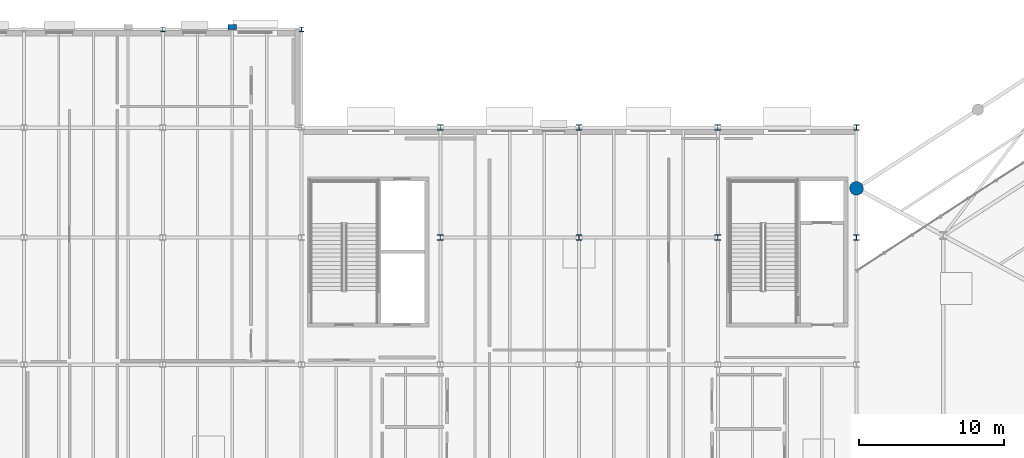
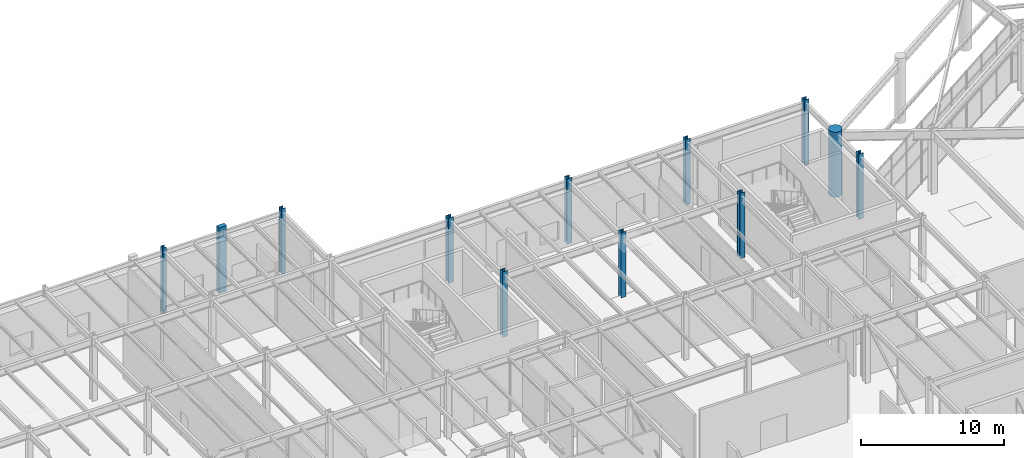
# One storey, part 13 of 70: 12 columns.
"""IFC4 building model written with IfcOpenShell, lengths in metres."""

from ifc_helpers import new_model, si_unit, direction, frame, origin, origin_2d, place, context, subcontext, project, spatial, rectangle, circle, i_section, extrude, material, material_profile, profile_set, type_object, element, save


model = new_model("IFC4")

# Units and contexts
model_context = context("Model", 3, precision=1e-05, world=origin(), true_north=direction((0.0, 1.0)))
body_context = subcontext(model_context, "Body", "Model", "MODEL_VIEW")
ifc_project = project(units=[si_unit("LENGTHUNIT", "METRE"), si_unit("AREAUNIT", "SQUARE_METRE"), si_unit("VOLUMEUNIT", "CUBIC_METRE"), si_unit("PLANEANGLEUNIT", "RADIAN"), si_unit("MASSUNIT", "GRAM", prefix="KILO")], contexts=[model_context])

# Site, building, storey
site_placement = place(None, origin())
site = spatial("IfcSite", under=ifc_project, at=site_placement, CompositionType="ELEMENT")
building_placement = place(site_placement, origin())
building = spatial("IfcBuilding", under=site, at=building_placement, Name="Sarnbrook Museum", CompositionType="ELEMENT")
storey_placement = place(building_placement, origin())
storey = spatial("IfcBuildingStorey", under=building, at=storey_placement, Name="L00", CompositionType="ELEMENT", Elevation=0.0)

# Columns
ifc_material_1 = material(Name="Concrete N50 (AS 3600, f'c = 50 MPa)", Category="concrete")
ifc_material_profile_1 = material_profile(ifc_material_1, circle(Radius=0.47509765625, at=origin_2d()), Name="DORIC D950")
ifc_profile_set_1 = profile_set([ifc_material_profile_1], Name="Concrete N50 (AS 3600, f'c = 50 MPa)")
column_type_1 = type_object("IfcColumnType", Name="COL-DORIC950", PredefinedType="COLUMN", material=ifc_profile_set_1)
column_1_placement = place(storey_placement, frame((119.199951171875, 104.199951171875, 0.0), z_axis=(0.0, 0.0, 1.0), x_axis=(1.0, 0.0, 0.0)))
element("IfcColumn", 1, at=column_1_placement, inside=storey, type_object=column_type_1, Name="Doric Colonnade Corner Column V7 L00", PredefinedType="COLUMN", context=body_context, shape_type="SweptSolid", body=[
    extrude(circle(Radius=0.47509765625, at=origin_2d()), origin(), (0.0, 0.0, 1.0), 5.56005859375),
])
ifc_material_2 = material(Name="Structural Steel Grade 300PLUS (AS/NZS 3679.1, fy = 280 MPa for 17 < t <= 40 mm, 300 MPa for t <= 17 mm)", Category="steel")
ifc_material_profile_2 = material_profile(ifc_material_2, i_section(OverallWidth=0.31103515625, OverallDepth=0.326904296875, WebThickness=0.015625, FlangeThickness=0.02490234375, FilletRadius=0.0166015625, at=origin_2d()), Name="310UC158")
ifc_profile_set_2 = profile_set([ifc_material_profile_2], Name="Structural Steel Grade 300PLUS (AS/NZS 3679.1, fy = 280 MPa for 17 < t <= 40 mm, 300 MPa for t <= 17 mm)")
column_type_2 = type_object("IfcColumnType", Name="COL-UC310H", PredefinedType="COLUMN", material=ifc_profile_set_2)
for number, where, z_axis, x_axis, name in (
    (2, (71.199951171875, 115.199951171875, 0.0), (0.0, 0.0, 1.0), (1.0, 0.0, 0.0), "Column 8-P L00"),
    (3, (80.800048828125, 115.199951171875, 0.0), (0.0, 0.0, 1.0), (1.0, 0.0, 0.0), "Column 9-P L00"),
):
    element("IfcColumn", number, at=place(storey_placement, frame(where, z_axis=z_axis, x_axis=x_axis)), inside=storey, type_object=column_type_2, Name=name, PredefinedType="COLUMN", context=body_context, shape_type="SweptSolid", body=[
        extrude(i_section(OverallWidth=0.31103515625, OverallDepth=0.326904296875, WebThickness=0.015625, FlangeThickness=0.02490234375, FilletRadius=0.0166015625, at=origin_2d()), origin(), (0.0, 0.0, 1.0), 5.60009765625),
    ])
ifc_material_3 = material(Name="Structural Steel Grade 350L0 (AS/NZS 3678, fy = 340 MPa for 20 < t <= 40 mm)", Category="steel")
ifc_material_profile_3 = material_profile(ifc_material_3, i_section(OverallWidth=0.39990234375, OverallDepth=0.382080078125, WebThickness=0.02490234375, FlangeThickness=0.035888671875, at=origin_2d()), Name="400WC270")
ifc_profile_set_3 = profile_set([ifc_material_profile_3], Name="Structural Steel Grade 350L0 (AS/NZS 3678, fy = 340 MPa for 20 < t <= 40 mm)")
column_type_3 = type_object("IfcColumnType", Name="COL-WC400", PredefinedType="COLUMN", material=ifc_profile_set_3)
for number, where, z_axis, x_axis, name in (
    (4, (90.39990234375, 100.800048828125, 0.0), (0.0, 0.0, 1.0), (1.0, 0.0, 0.0), "Column 10-M L00"),
    (5, (90.39990234375, 108.39990234375, 0.0), (0.0, 0.0, 1.0), (1.0, 0.0, 0.0), "Column 10-N L00"),
    (6, (100.0, 100.800048828125, 0.0), (0.0, 0.0, 1.0), (1.0, 0.0, 0.0), "Column 11-M L00"),
    (7, (100.0, 108.39990234375, 0.0), (0.0, 0.0, 1.0), (1.0, 0.0, 0.0), "Column 11-N L00"),
    (8, (109.60009765625, 100.800048828125, 0.0), (0.0, 0.0, 1.0), (1.0, 0.0, 0.0), "Column 12-M L00"),
    (9, (109.60009765625, 108.39990234375, 0.0), (0.0, 0.0, 1.0), (1.0, 0.0, 0.0), "Column 12-N L00"),
    (10, (119.199951171875, 100.800048828125, 0.0), (0.0, 0.0, 1.0), (1.0, 0.0, 0.0), "Column 13-M L00"),
    (11, (119.199951171875, 108.39990234375, 0.0), (0.0, 0.0, 1.0), (1.0, 0.0, 0.0), "Column 13-N L00"),
):
    element("IfcColumn", number, at=place(storey_placement, frame(where, z_axis=z_axis, x_axis=x_axis)), inside=storey, type_object=column_type_3, Name=name, PredefinedType="COLUMN", context=body_context, shape_type="SweptSolid", body=[
        extrude(i_section(OverallWidth=0.39990234375, OverallDepth=0.382080078125, WebThickness=0.02490234375, FlangeThickness=0.035888671875, at=origin_2d()), origin(), (0.0, 0.0, 1.0), 5.60009765625),
    ])
ifc_material_4 = material(Name="Concrete N40 (AS 3600, f'c = 40 MPa)", Category="concrete")
ifc_material_profile_4 = material_profile(ifc_material_4, rectangle(XDim=0.60009765625, YDim=0.35009765625, at=origin_2d()), Name="PILASTER 600x350")
ifc_profile_set_4 = profile_set([ifc_material_profile_4], Name="Concrete N40 (AS 3600, f'c = 40 MPa)")
column_type_4 = type_object("IfcColumnType", Name="PIL-600x350", PredefinedType="PILASTER", material=ifc_profile_set_4)
column_2_placement = place(storey_placement, frame((76.0, 115.3798828125, 0.0), z_axis=(0.0, 0.0, 1.0), x_axis=(1.0, 0.0, 0.0)))
element("IfcColumn", 12, at=column_2_placement, inside=storey, type_object=column_type_4, Name="Sandstone Classical Pilaster P-N3 L00", PredefinedType="PILASTER", context=body_context, shape_type="SweptSolid", body=[
    extrude(rectangle(XDim=0.60009765625, YDim=0.35009765625, at=origin_2d()), origin(), (0.0, 0.0, 1.0), 5.60009765625),
])

save(model, "model.ifc")
